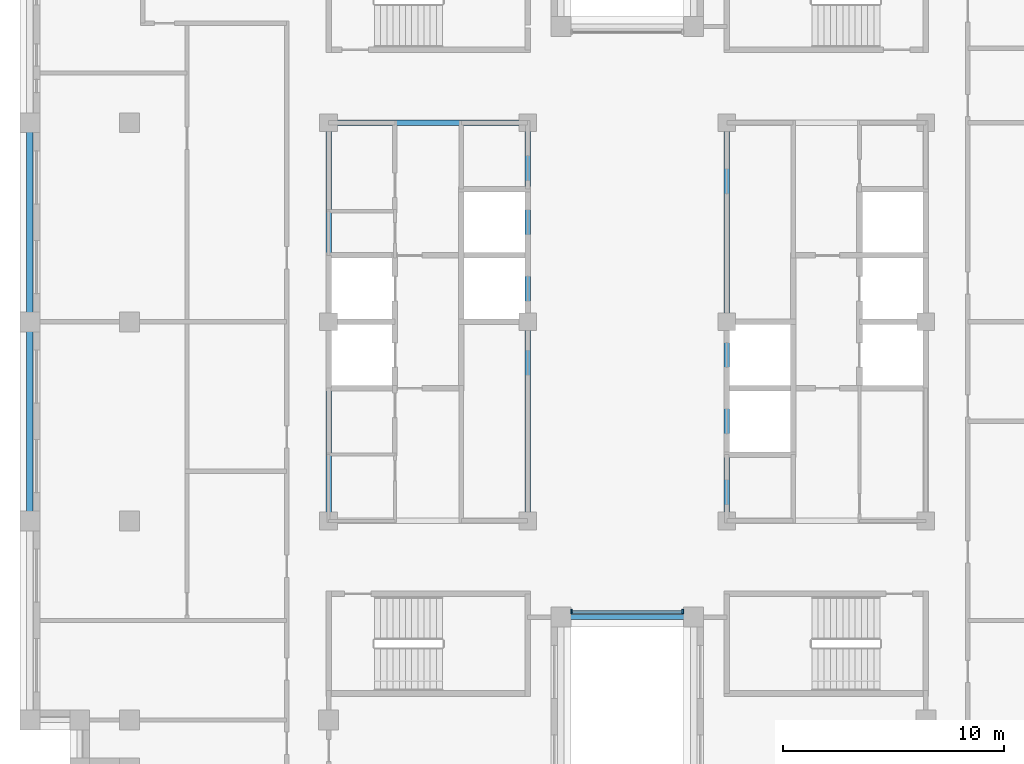
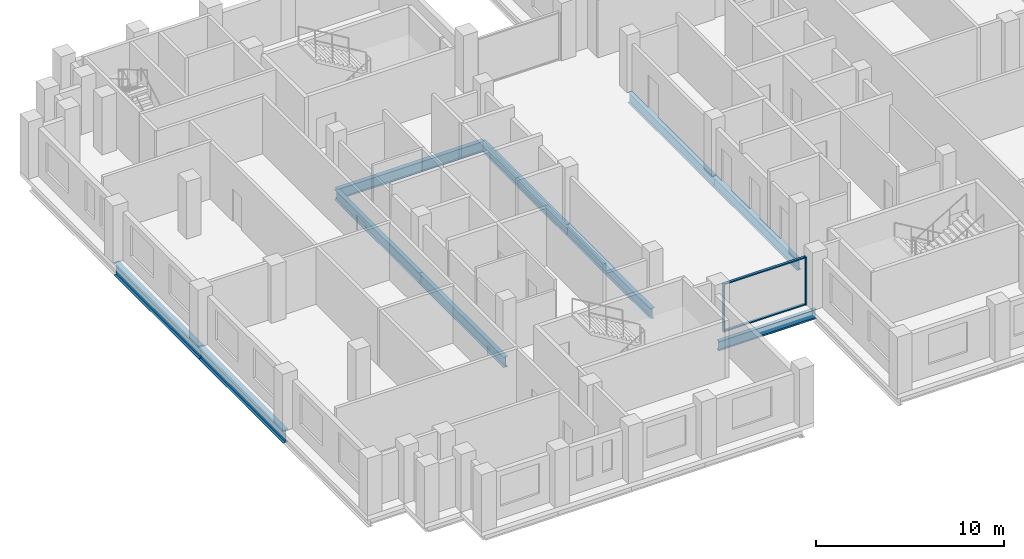
# One storey, part 2 of 13: 10 beams, 4 members, 1 element without a shape of its own.
"""IFC4 building model written with IfcOpenShell, lengths in metres."""

from ifc_helpers import new_model, si_unit, direction, frame, origin, origin_2d, place, context, subcontext, project, spatial, rectangle, i_section, extrude, material, layer, layer_set, material_profile, profile_set, type_object, element, aggregate, save


model = new_model("IFC4")

# Units and contexts
model_context = context("Model", 3, precision=1e-05, world=origin(), true_north=direction((0.0, 1.0)))
body_context = subcontext(model_context, "Body", "Model", "MODEL_VIEW")
ifc_project = project(units=[si_unit("LENGTHUNIT", "METRE"), si_unit("AREAUNIT", "SQUARE_METRE"), si_unit("VOLUMEUNIT", "CUBIC_METRE"), si_unit("PLANEANGLEUNIT", "RADIAN"), si_unit("MASSUNIT", "GRAM", prefix="KILO")], contexts=[model_context])

# Site, building, storey
site_placement = place(None, origin())
site = spatial("IfcSite", under=ifc_project, at=site_placement, CompositionType="ELEMENT")
building_placement = place(site_placement, origin())
building = spatial("IfcBuilding", under=site, at=building_placement, Name="Corbelhall Arena Tower", CompositionType="ELEMENT")
storey_placement = place(building_placement, frame((0.0, 0.0, 262.0)))
storey = spatial("IfcBuildingStorey", under=building, at=storey_placement, Name="L56", CompositionType="ELEMENT", Elevation=262.0)

# Curtain wall, members
ifc_material_1 = material(Name="Aluminium black anodised", Category="aluminium")
ifc_layer = layer(ifc_material_1, 0.199951171875)
ifc_layer_set = layer_set([ifc_layer], Name="EV-CW1 Slot back wall")
curtain_wall_type = type_object("IfcCurtainWallType", Name="EV-CW1 Slot back wall", PredefinedType="NOTDEFINED", material=ifc_layer_set)
curtain_wall_placement = place(storey_placement, origin())
curtain_wall = element("IfcCurtainWall", 1, at=curtain_wall_placement, inside=storey, type_object=curtain_wall_type, Name="Curtain wall CW1", PredefinedType="NOTDEFINED")
ifc_material_profile_1 = material_profile(ifc_material_1, rectangle(XDim=0.199951171875, YDim=0.074951171875, at=origin_2d()))
ifc_profile_set_1 = profile_set([ifc_material_profile_1], Name="Aluminium black anodised")
member_type_1 = type_object("IfcMemberType", Name="EV-CW1-MULLION", PredefinedType="MULLION", material=ifc_profile_set_1)
member_1_placement = place(storey_placement, frame((-2.512451171875, -13.10009765625, 0.0), z_axis=(0.0, 0.0, 1.0), x_axis=(0.0, 1.0, 0.0)))
member_1 = element("IfcMember", 2, at=member_1_placement, type_object=member_type_1, Name="CW1 mullion 1", PredefinedType="MULLION", context=body_context, shape_type="SweptSolid", body=[
    extrude(rectangle(XDim=0.199951171875, YDim=0.074951171875, at=origin_2d()), origin(), (0.0, 0.0, 1.0), 3.1201171875),
])
member_2_placement = place(storey_placement, frame((2.512451171875, -13.10009765625, 0.0), z_axis=(0.0, 0.0, 1.0), x_axis=(0.0, 1.0, 0.0)))
member_2 = element("IfcMember", 3, at=member_2_placement, type_object=member_type_1, Name="CW1 mullion 2", PredefinedType="MULLION", context=body_context, shape_type="SweptSolid", body=[
    extrude(rectangle(XDim=0.199951171875, YDim=0.074951171875, at=origin_2d()), origin(), (0.0, 0.0, 1.0), 3.1201171875),
])
ifc_material_profile_2 = material_profile(ifc_material_1, rectangle(XDim=0.14990234375, YDim=0.074951171875, at=origin_2d()))
ifc_profile_set_2 = profile_set([ifc_material_profile_2], Name="Aluminium black anodised")
member_type_2 = type_object("IfcMemberType", Name="EV-CW1-TRANSOM", PredefinedType="USERDEFINED", material=ifc_profile_set_2)
member_3_placement = place(storey_placement, frame((-2.47509765625, -13.10009765625, 0.03759765625), z_axis=(1.0, 0.0, 0.0), x_axis=(0.0, 1.0, 0.0)))
member_3 = element("IfcMember", 4, at=member_3_placement, type_object=member_type_2, Name="CW1 transom 1.1", ObjectType="transom", PredefinedType="USERDEFINED", context=body_context, shape_type="SweptSolid", body=[
    extrude(rectangle(XDim=0.14990234375, YDim=0.074951171875, at=origin_2d()), origin(), (0.0, 0.0, 1.0), 4.9501953125),
])
member_4_placement = place(storey_placement, frame((-2.47509765625, -13.10009765625, 3.08251953125), z_axis=(1.0, 0.0, 0.0), x_axis=(0.0, 1.0, 0.0)))
member_4 = element("IfcMember", 5, at=member_4_placement, type_object=member_type_2, Name="CW1 transom 1.2", ObjectType="transom", PredefinedType="USERDEFINED", context=body_context, shape_type="SweptSolid", body=[
    extrude(rectangle(XDim=0.14990234375, YDim=0.074951171875, at=origin_2d()), origin(), (0.0, 0.0, 1.0), 4.9501953125),
])
aggregate(curtain_wall, [member_1, member_2, member_3, member_4])

# Beams
ifc_material_2 = material(Name="Steel ASTM A992 Gr50", Category="steel")
ifc_material_profile_3 = material_profile(ifc_material_2, i_section(OverallWidth=0.25390625, OverallDepth=0.67822265625, WebThickness=0.01171875, FlangeThickness=0.016357421875, at=origin_2d()))
ifc_profile_set_3 = profile_set([ifc_material_profile_3], Name="Steel ASTM A992 Gr50")
beam_type_1 = type_object("IfcBeamType", Name="ST-BEAM-W27x84", PredefinedType="BEAM", material=ifc_profile_set_3)
for number, where, z_axis, x_axis, name in (
    (6, (-13.5, -9.0, -0.619140625), (0.0, 1.0, 0.0), (-1.0, 0.0, 0.0), "Beam CEW 1"),
    (7, (-13.5, 0.0, -0.619140625), (0.0, 1.0, 0.0), (-1.0, 0.0, 0.0), "Beam CEW 2"),
    (8, (-4.5, -9.0, -0.619140625), (0.0, 1.0, 0.0), (-1.0, 0.0, 0.0), "Beam CEW 3"),
    (9, (-4.5, 0.0, -0.619140625), (0.0, 1.0, 0.0), (-1.0, 0.0, 0.0), "Beam CEW 4"),
    (10, (-13.5, 9.0, -0.619140625), (1.0, 0.0, 0.0), (0.0, 1.0, 0.0), "Beam CEW 6"),
    (11, (4.5, -9.0, -0.619140625), (0.0, 1.0, 0.0), (-1.0, 0.0, 0.0), "Beam CEE 7"),
    (12, (4.5, 0.0, -0.619140625), (0.0, 1.0, 0.0), (-1.0, 0.0, 0.0), "Beam CEE 8"),
):
    element("IfcBeam", number, at=place(storey_placement, frame(where, z_axis=z_axis, x_axis=x_axis)), inside=storey, type_object=beam_type_1, Name=name, PredefinedType="BEAM", context=body_context, shape_type="SweptSolid", body=[
        extrude(i_section(OverallWidth=0.25390625, OverallDepth=0.67822265625, WebThickness=0.01171875, FlangeThickness=0.016357421875, at=origin_2d()), origin(), (0.0, 0.0, 1.0), 9.0),
    ])
ifc_material_profile_4 = material_profile(ifc_material_2, i_section(OverallWidth=0.227783203125, OverallDepth=0.60205078125, WebThickness=0.010498046875, FlangeThickness=0.014892578125, at=origin_2d()))
ifc_profile_set_4 = profile_set([ifc_material_profile_4], Name="Steel ASTM A992 Gr50")
beam_type_2 = type_object("IfcBeamType", Name="ST-SPANDREL-W24x68", PredefinedType="SPANDREL", material=ifc_profile_set_4)
beam_placement = place(storey_placement, frame((3.0, -13.35009765625, -0.5810546875), z_axis=(-1.0, 0.0, 0.0), x_axis=(0.0, -1.0, 0.0)))
element("IfcBeam", 13, at=beam_placement, inside=storey, type_object=beam_type_2, Name="Beam SP 33", PredefinedType="SPANDREL", context=body_context, shape_type="SweptSolid", body=[
    extrude(i_section(OverallWidth=0.227783203125, OverallDepth=0.60205078125, WebThickness=0.010498046875, FlangeThickness=0.014892578125, at=origin_2d()), origin(), (0.0, 0.0, 1.0), 6.0),
])
ifc_material_profile_5 = material_profile(ifc_material_2, i_section(OverallWidth=0.2919921875, OverallDepth=0.845703125, WebThickness=0.015380859375, FlangeThickness=0.0244140625, at=origin_2d()))
ifc_profile_set_5 = profile_set([ifc_material_profile_5], Name="Steel ASTM A992 Gr50")
beam_type_3 = type_object("IfcBeamType", Name="ST-SPANDREL-W33x141", PredefinedType="SPANDREL", material=ifc_profile_set_5)
for number, where, z_axis, x_axis, name in (
    (14, (-27.0, 0.0, -0.702880859375), (0.0, 1.0, 0.0), (-1.0, 0.0, 0.0), "Beam SP 26"),
    (15, (-27.0, -9.0, -0.702880859375), (0.0, 1.0, 0.0), (-1.0, 0.0, 0.0), "Beam SP 29"),
):
    element("IfcBeam", number, at=place(storey_placement, frame(where, z_axis=z_axis, x_axis=x_axis)), inside=storey, type_object=beam_type_3, Name=name, PredefinedType="SPANDREL", context=body_context, shape_type="SweptSolid", body=[
        extrude(i_section(OverallWidth=0.2919921875, OverallDepth=0.845703125, WebThickness=0.015380859375, FlangeThickness=0.0244140625, at=origin_2d()), origin(), (0.0, 0.0, 1.0), 9.0),
    ])

save(model, "model.ifc")
